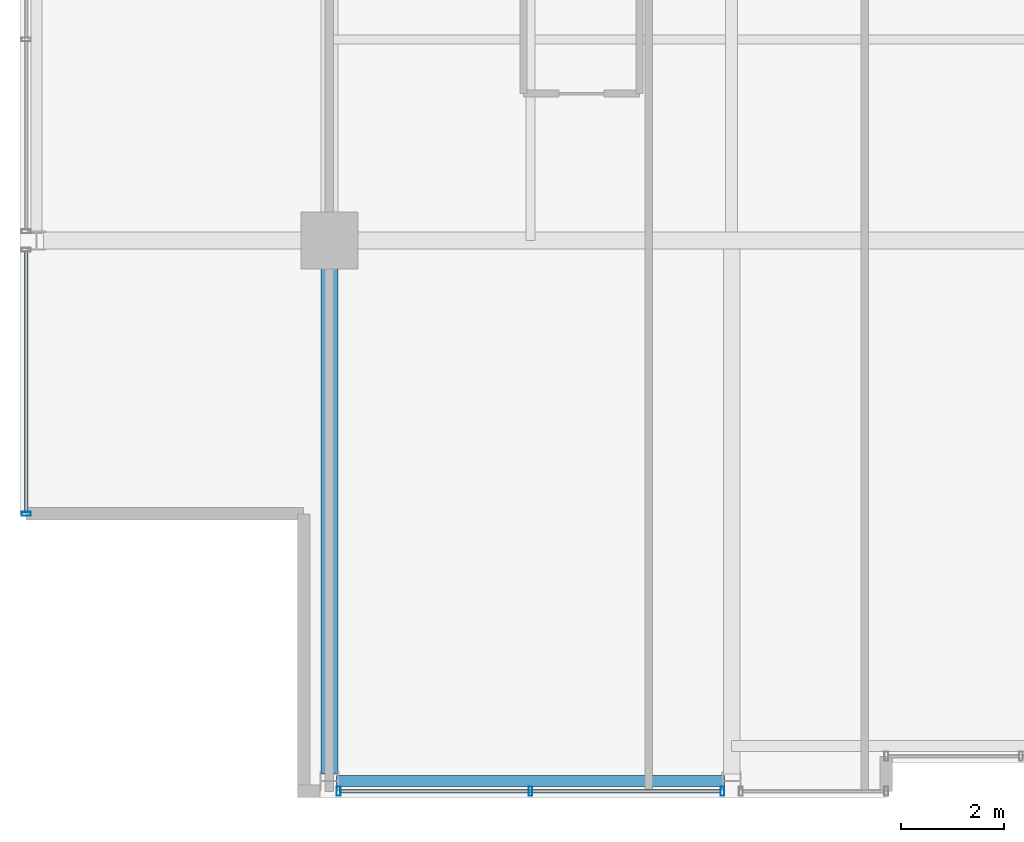
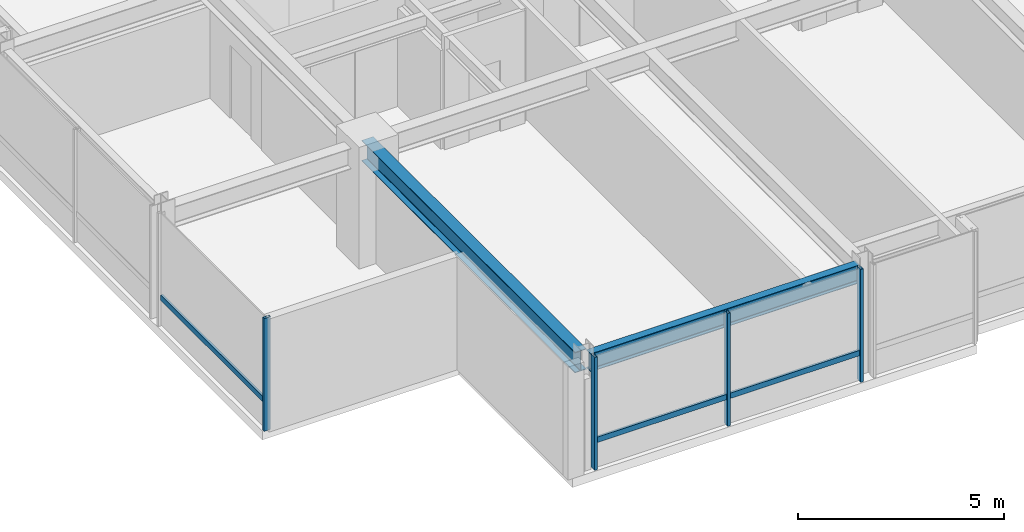
# One storey, part 3 of 33: 6 members, 2 beams, 2 elements without a shape of their own.
"""IFC4 building model written with IfcOpenShell, lengths in metres."""

from ifc_helpers import new_model, si_unit, direction, frame, origin, origin_2d, place, context, subcontext, project, spatial, hollow_rectangle, i_section, extrude, material, layer, layer_set, material_profile, profile_set, type_object, element, aggregate, save


model = new_model("IFC4")

# Units and contexts
model_context = context("Model", 3, precision=1e-05, world=origin(), true_north=direction((0.0, 1.0)))
body_context = subcontext(model_context, "Body", "Model", "MODEL_VIEW")
ifc_project = project(units=[si_unit("LENGTHUNIT", "METRE"), si_unit("AREAUNIT", "SQUARE_METRE"), si_unit("VOLUMEUNIT", "CUBIC_METRE"), si_unit("PLANEANGLEUNIT", "RADIAN"), si_unit("MASSUNIT", "GRAM", prefix="KILO")], contexts=[model_context])

# Site, building, storey
site_placement = place(None, origin())
site = spatial("IfcSite", under=ifc_project, at=site_placement, CompositionType="ELEMENT")
building_placement = place(site_placement, origin())
building = spatial("IfcBuilding", under=site, at=building_placement, Name="Drelvath Grand Hotel", CompositionType="ELEMENT")
storey_placement = place(building_placement, frame((0.0, 0.0, 248.300048828125)))
storey = spatial("IfcBuildingStorey", under=building, at=storey_placement, Name="L65", CompositionType="ELEMENT", Elevation=248.300048828125)

# Curtain wall, member
ifc_material_1 = material(Name="Platinum-Mist Anodised Aluminium Frame", Category="aluminium")
ifc_layer = layer(ifc_material_1, 0.199951171875)
ifc_layer_set = layer_set([ifc_layer], Name="Platinum-Mist Anodised Aluminium Frame")
curtain_wall_type = type_object("IfcCurtainWallType", Name="Stick Curtain Wall CW-05 Platinum Mist High-Rise", PredefinedType="NOTDEFINED", material=ifc_layer_set)
curtain_wall_1_placement = place(storey_placement, origin())
curtain_wall_1 = element("IfcCurtainWall", 1, at=curtain_wall_1_placement, inside=storey, type_object=curtain_wall_type, Name="L65 CW-05 Curtain Wall CW05-L65-WS1", PredefinedType="NOTDEFINED")
ifc_material_profile_1 = material_profile(ifc_material_1, hollow_rectangle(XDim=0.06494140625, YDim=0.159912109375, WallThickness=0.00390625, at=origin_2d()), Name="HSS160X65X4")
ifc_profile_set_1 = profile_set([ifc_material_profile_1], Name="Platinum-Mist Anodised Aluminium Frame")
member_type_1 = type_object("IfcMemberType", Name="Curtain Wall Horizontal Transom CW-05 HSS160X65X4", PredefinedType="USERDEFINED", material=ifc_profile_set_1)
member_1_placement = place(storey_placement, frame((-22.080078125, 5.5400390625, 0.8349609375), z_axis=(0.0, 1.0, 0.0), x_axis=(-1.0, 0.0, 0.0)))
member_1 = element("IfcMember", 2, at=member_1_placement, type_object=member_type_1, Name="CW05-L65-WS1 Sill Transom", ObjectType="TRANSOM", PredefinedType="USERDEFINED", context=body_context, shape_type="SweptSolid", body=[
    extrude(hollow_rectangle(XDim=0.06494140625, YDim=0.159912109375, WallThickness=0.00390625, at=origin_2d()), origin(), (0.0, 0.0, 1.0), 5.041748046875),
])

curtain_wall_2_placement = place(storey_placement, origin())
curtain_wall_2 = element("IfcCurtainWall", 3, at=curtain_wall_2_placement, inside=storey, type_object=curtain_wall_type, Name="L65 CW-05 Curtain Wall CW05-L65-SW2", PredefinedType="NOTDEFINED")
member_2_placement = place(storey_placement, frame((-8.6181640625, 0.1201171875, 0.8349609375), z_axis=(-1.0, 0.0, 0.0), x_axis=(0.0, -1.0, 0.0)))
member_2 = element("IfcMember", 4, at=member_2_placement, type_object=member_type_1, Name="CW05-L65-SW2 Sill Transom", ObjectType="TRANSOM", PredefinedType="USERDEFINED", context=body_context, shape_type="SweptSolid", body=[
    extrude(hollow_rectangle(XDim=0.06494140625, YDim=0.159912109375, WallThickness=0.00390625, at=origin_2d()), origin(), (0.0, 0.0, 1.0), 7.363525390625),
])

# Member
ifc_material_profile_2 = material_profile(ifc_material_1, hollow_rectangle(XDim=0.074951171875, YDim=0.179931640625, WallThickness=0.0048828125, at=origin_2d()), Name="HSS180X75X5")
ifc_profile_set_2 = profile_set([ifc_material_profile_2], Name="Platinum-Mist Anodised Aluminium Frame")
member_type_2 = type_object("IfcMemberType", Name="Curtain Wall Vertical Mullion CW-05 HSS180X75X5", PredefinedType="MULLION", material=ifc_profile_set_2)
member_3_placement = place(storey_placement, frame((-22.080078125, 5.5, 0.0), z_axis=(0.0, 0.0, 1.0), x_axis=(0.0, 1.0, 0.0)))
member_3 = element("IfcMember", 5, at=member_3_placement, type_object=member_type_2, Name="CW05-L65-WS1 Mullion 1", PredefinedType="MULLION", context=body_context, shape_type="SweptSolid", body=[
    extrude(hollow_rectangle(XDim=0.074951171875, YDim=0.179931640625, WallThickness=0.0048828125, at=origin_2d()), origin(), (0.0, 0.0, 1.0), 3.33984375),
])

aggregate(curtain_wall_1, [member_3, member_1])

member_4_placement = place(storey_placement, frame((-8.578125, 0.1201171875, 0.0), z_axis=(0.0, 0.0, 1.0), x_axis=(1.0, 0.0, 0.0)))
member_4 = element("IfcMember", 6, at=member_4_placement, type_object=member_type_2, Name="CW05-L65-SW2 Mullion 1", PredefinedType="MULLION", context=body_context, shape_type="SweptSolid", body=[
    extrude(hollow_rectangle(XDim=0.074951171875, YDim=0.179931640625, WallThickness=0.0048828125, at=origin_2d()), origin(), (0.0, 0.0, 1.0), 3.33984375),
])

member_5_placement = place(storey_placement, frame((-12.300048828125, 0.1201171875, 0.0), z_axis=(0.0, 0.0, 1.0), x_axis=(1.0, 0.0, 0.0)))
member_5 = element("IfcMember", 7, at=member_5_placement, type_object=member_type_2, Name="CW05-L65-SW2 Mullion 2", PredefinedType="MULLION", context=body_context, shape_type="SweptSolid", body=[
    extrude(hollow_rectangle(XDim=0.074951171875, YDim=0.179931640625, WallThickness=0.0048828125, at=origin_2d()), origin(), (0.0, 0.0, 1.0), 3.33984375),
])

member_6_placement = place(storey_placement, frame((-16.021728515625, 0.1201171875, 0.0), z_axis=(0.0, 0.0, 1.0), x_axis=(1.0, 0.0, 0.0)))
member_6 = element("IfcMember", 8, at=member_6_placement, type_object=member_type_2, Name="CW05-L65-SW2 Mullion 3", PredefinedType="MULLION", context=body_context, shape_type="SweptSolid", body=[
    extrude(hollow_rectangle(XDim=0.074951171875, YDim=0.179931640625, WallThickness=0.0048828125, at=origin_2d()), origin(), (0.0, 0.0, 1.0), 3.33984375),
])

aggregate(curtain_wall_2, [member_4, member_5, member_6, member_2])

# Beams
ifc_material_2 = material(Name="Steel ASTM A992 Gr 50", Category="steel")
ifc_material_profile_3 = material_profile(ifc_material_2, i_section(OverallWidth=0.210205078125, OverallDepth=0.53662109375, WebThickness=0.010986328125, FlangeThickness=0.017333984375, FilletRadius=0.01806640625, at=origin_2d()), Name="W21X68")
ifc_profile_set_3 = profile_set([ifc_material_profile_3], Name="Steel ASTM A992 Gr 50")
beam_type_1 = type_object("IfcBeamType", Name="Perimeter Spandrel Beam W21X68", PredefinedType="SPANDREL", material=ifc_profile_set_3)
beam_1_placement = place(storey_placement, frame((-16.06005859375, 0.320068359375, 3.071533203125), z_axis=(1.0, 0.0, 0.0), x_axis=(0.0, 1.0, 0.0)))
element("IfcBeam", 9, at=beam_1_placement, inside=storey, type_object=beam_type_1, Name="L65 Spandrel South W", PredefinedType="SPANDREL", context=body_context, shape_type="SweptSolid", body=[
    extrude(i_section(OverallWidth=0.210205078125, OverallDepth=0.53662109375, WebThickness=0.010986328125, FlangeThickness=0.017333984375, FilletRadius=0.01806640625, at=origin_2d()), origin(), (0.0, 0.0, 1.0), 7.52001953125),
])
ifc_material_profile_4 = material_profile(ifc_material_2, i_section(OverallWidth=0.323974609375, OverallDepth=0.611083984375, WebThickness=0.0126953125, FlangeThickness=0.01904296875, FilletRadius=0.02197265625, at=origin_2d()), Name="W24X104")
ifc_profile_set_4 = profile_set([ifc_material_profile_4], Name="Steel ASTM A992 Gr 50")
beam_type_2 = type_object("IfcBeamType", Name="Primary Floor Girder W24X104", PredefinedType="BEAM", material=ifc_profile_set_4)
beam_2_placement = place(storey_placement, frame((-16.199951171875, 0.4599609375, 3.034423828125), z_axis=(0.0, 1.0, 0.0), x_axis=(-1.0, 0.0, 0.0)))
element("IfcBeam", 10, at=beam_2_placement, inside=storey, type_object=beam_type_2, Name="L65 South Grid Girder 3", PredefinedType="BEAM", context=body_context, shape_type="SweptSolid", body=[
    extrude(i_section(OverallWidth=0.323974609375, OverallDepth=0.611083984375, WebThickness=0.0126953125, FlangeThickness=0.01904296875, FilletRadius=0.02197265625, at=origin_2d()), origin(), (0.0, 0.0, 1.0), 10.340087890625),
])

save(model, "model.ifc")
